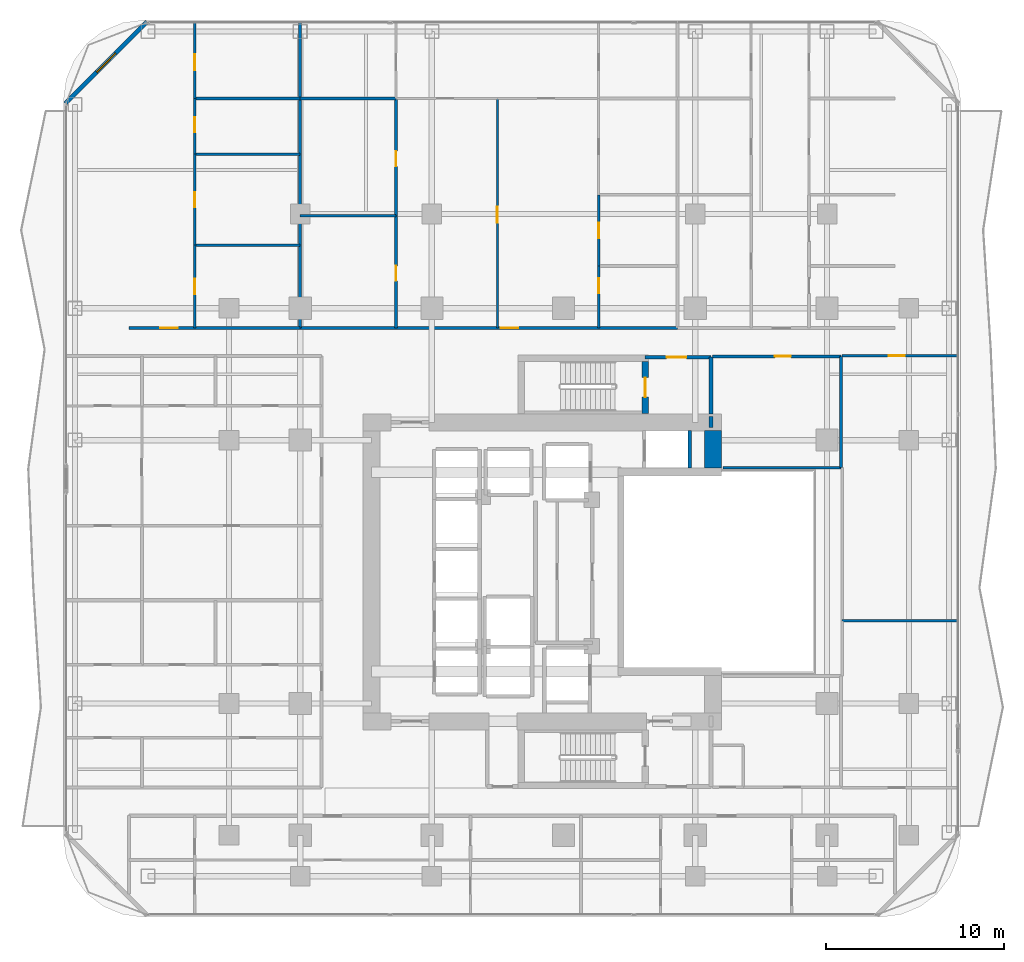
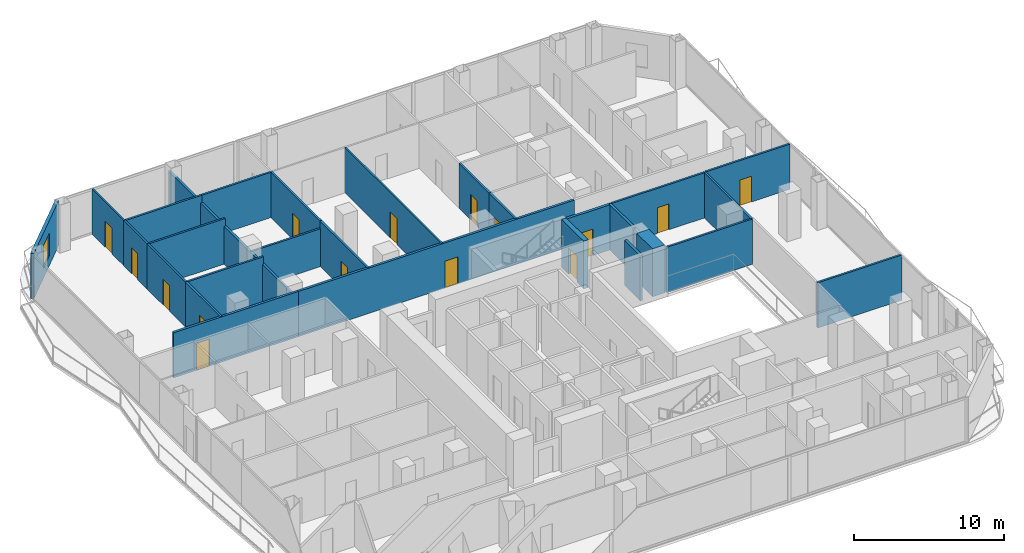
# One storey, part 22 of 27: 29 walls, 15 doors, 1 window, 16 openings.
"""IFC4 building model written with IfcOpenShell, lengths in metres."""

from ifc_helpers import new_model, si_unit, direction, frame, frame_2d, origin, place, context, subcontext, project, spatial, rectangle, extrude, material, layer, layer_set, type_object, element, fill, save


model = new_model("IFC4")

# Units and contexts
model_context = context("Model", 3, precision=1e-05, world=origin(), true_north=direction((0.0, 1.0)))
body_context = subcontext(model_context, "Body", "Model", "MODEL_VIEW")
ifc_project = project(units=[si_unit("LENGTHUNIT", "METRE"), si_unit("AREAUNIT", "SQUARE_METRE"), si_unit("VOLUMEUNIT", "CUBIC_METRE"), si_unit("PLANEANGLEUNIT", "RADIAN"), si_unit("MASSUNIT", "GRAM", prefix="KILO")], contexts=[model_context])

# Site, building, storey
site_placement = place(None, origin())
site = spatial("IfcSite", under=ifc_project, at=site_placement, CompositionType="ELEMENT")
building_placement = place(site_placement, origin())
building = spatial("IfcBuilding", under=site, at=building_placement, Name="Khorvyn Point Tower", CompositionType="ELEMENT")
storey_placement = place(building_placement, frame((0.0, 0.0, 96.89990234375)))
storey = spatial("IfcBuildingStorey", under=building, at=storey_placement, Name="L24", CompositionType="ELEMENT", Elevation=96.89990234375)

# Wall, opening, door
ifc_material_1 = material(Name="Double acoustic gypsum on twin steel stud", Category="steel")
ifc_layer_1 = layer(ifc_material_1, 0.179931640625)
ifc_layer_set_1 = layer_set([ifc_layer_1], Name="Acoustic Double-Stud Apartment Demising Wall 180")
wall_type_1 = type_object("IfcWallType", Name="Acoustic Double-Stud Apartment Demising Wall 180", PredefinedType="PARTITIONING", material=ifc_layer_set_1)
wall_1_placement = place(storey_placement, frame((-24.419921875, 13.699951171875, 0.0), z_axis=(0.0, 0.0, 1.0), x_axis=(1.0, 0.0, 0.0)))
wall_1 = element("IfcWall", 1, at=wall_1_placement, inside=storey, type_object=wall_type_1, Name="Wall", PredefinedType="PARTITIONING", context=body_context, shape_type="SweptSolid", body=[
    extrude(rectangle(XDim=9.61181640625, YDim=0.179931640625, at=frame_2d((4.805908203125, 0.0))), origin(), (0.0, 0.0, 1.0), 3.68017578125),
])
opening_1_placement = place(wall_1_placement, frame((1.747802734375, 0.0, 0.0)))
opening_1 = element("IfcOpeningElement", 2, at=opening_1_placement, cuts=wall_1, Name="Opening ID-AP60", PredefinedType="OPENING", context=body_context, shape_type="SweptSolid", body=[
    extrude(rectangle(XDim=1.0, YDim=2.199951171875, at=frame_2d((0.5, 1.10009765625))), frame((0.0, 0.099853515625, 0.0), z_axis=(0.0, -1.0, 0.0), x_axis=(1.0, 0.0, 0.0)), (0.0, 0.0, 1.0), 0.199951171875),
])
ifc_material_2 = material(Name="Engineered hardwood fire-rated leaf", Category="wood")
door_type_1 = type_object("IfcDoorType", Name="Acoustic Solid-Core Timber Apartment Entrance Door 1000x2200", OperationType="NOTDEFINED", PredefinedType="DOOR", material=ifc_material_2)
door_1_placement = place(opening_1_placement, origin())
door_1 = element("IfcDoor", 3, at=door_1_placement, inside=storey, type_object=door_type_1, Name="Door", OperationType="SINGLE_SWING_LEFT", OverallHeight=2.199951171875, OverallWidth=1.0, PredefinedType="DOOR", context=body_context, shape_type="SweptSolid", body=[
    extrude(rectangle(XDim=1.0, YDim=2.199951171875, at=frame_2d((0.5, 1.10009765625))), frame((0.0, 0.02490234375, 0.0), z_axis=(0.0, -1.0, 0.0), x_axis=(1.0, 0.0, 0.0)), (0.0, 0.0, 1.0), 0.050048828125),
])
fill(opening_1, door_1)

wall_2_placement = place(storey_placement, frame((-14.80810546875, 13.699951171875, 0.0), z_axis=(0.0, 0.0, 1.0), x_axis=(1.0, 0.0, 0.0)))
wall_2 = element("IfcWall", 4, at=wall_2_placement, inside=storey, type_object=wall_type_1, Name="Wall", PredefinedType="PARTITIONING", context=body_context, shape_type="SweptSolid", body=[
    extrude(rectangle(XDim=21.212158203125, YDim=0.179931640625, at=frame_2d((10.60595703125, 0.0))), origin(), (0.0, 0.0, 1.0), 3.68017578125),
])
opening_2_placement = place(wall_2_placement, frame((11.270751953125, 0.0, 0.0)))
opening_2 = element("IfcOpeningElement", 5, at=opening_2_placement, cuts=wall_2, Name="Opening ID-AP60", PredefinedType="OPENING", context=body_context, shape_type="SweptSolid", body=[
    extrude(rectangle(XDim=1.0, YDim=2.199951171875, at=frame_2d((0.5, 1.10009765625))), frame((0.0, 0.099853515625, 0.0), z_axis=(0.0, -1.0, 0.0), x_axis=(1.0, 0.0, 0.0)), (0.0, 0.0, 1.0), 0.199951171875),
])
door_2_placement = place(opening_2_placement, origin())
door_2 = element("IfcDoor", 6, at=door_2_placement, inside=storey, type_object=door_type_1, Name="Door", OperationType="SINGLE_SWING_RIGHT", OverallHeight=2.199951171875, OverallWidth=1.0, PredefinedType="DOOR", context=body_context, shape_type="SweptSolid", body=[
    extrude(rectangle(XDim=1.0, YDim=2.199951171875, at=frame_2d((0.5, 1.10009765625))), frame((0.0, 0.02490234375, 0.0), z_axis=(0.0, -1.0, 0.0), x_axis=(1.0, 0.0, 0.0)), (0.0, 0.0, 1.0), 0.050048828125),
])
fill(opening_2, door_2)

# Wall
wall_3_placement = place(storey_placement, frame((-14.80810546875, 13.699951171875, 0.0), z_axis=(0.0, 0.0, 1.0), x_axis=(0.0, 1.0, 0.0)))
element("IfcWall", 7, at=wall_3_placement, inside=storey, type_object=wall_type_1, Name="Wall", PredefinedType="PARTITIONING", context=body_context, shape_type="SweptSolid", body=[
    extrude(rectangle(XDim=17.130126953125, YDim=0.179931640625, at=frame_2d((8.56494140625, 0.0))), origin(), (0.0, 0.0, 1.0), 3.08203125),
])

# Wall, opening, window
ifc_material_3 = material(Name="Pale anodised aluminium rainscreen on steel stud", Category="steel")
ifc_layer_2 = layer(ifc_material_3, 0.239990234375)
ifc_layer_set_2 = layer_set([ifc_layer_2], Name="Anodised Aluminium Insulated Corner Spandrel Wall 240")
wall_type_2 = type_object("IfcWallType", Name="Anodised Aluminium Insulated Corner Spandrel Wall 240", PredefinedType="SOLIDWALL", material=ifc_layer_set_2)
wall_4_placement = place(storey_placement, frame((-27.992431640625, 26.3076171875, 0.0), z_axis=(0.0, 0.0, 1.0), x_axis=(0.707106781187, 0.707106781187, 0.0)))
wall_4 = element("IfcWall", 8, at=wall_4_placement, inside=storey, type_object=wall_type_2, Name="L24 Rounded Corner Wall NW", PredefinedType="SOLIDWALL", context=body_context, shape_type="SweptSolid", body=[
    extrude(rectangle(XDim=6.48388671875, YDim=0.239990234375, at=frame_2d((3.241943359375, 0.0))), origin(), (0.0, 0.0, 1.0), 3.68017578125),
])
opening_3_placement = place(wall_4_placement, frame((2.491943359375, 0.0, 0.800048828125)))
opening_3 = element("IfcOpeningElement", 9, at=opening_3_placement, cuts=wall_4, Name="Opening WN-1518", PredefinedType="OPENING", context=body_context, shape_type="SweptSolid", body=[
    extrude(rectangle(XDim=1.5, YDim=1.85009765625, at=frame_2d((0.75, 0.925048828125))), frame((0.0, 0.1298828125, 0.0), z_axis=(0.0, -1.0, 0.0), x_axis=(1.0, 0.0, 0.0)), (0.0, 0.0, 1.0), 0.260009765625),
])
ifc_material_4 = material(Name="Anodised aluminium 6063-T6 and laminated Low-E glass", Category="aluminium")
window_type = type_object("IfcWindowType", Name="Anodised Aluminium Rounded-Corner Panoramic Window 1500x1850", PartitioningType="SINGLE_PANEL", PredefinedType="WINDOW", material=ifc_material_4)
window_placement = place(opening_3_placement, origin())
window = element("IfcWindow", 10, at=window_placement, inside=storey, type_object=window_type, Name="L24 Corner Panoramic Window NW", OverallHeight=1.85009765625, OverallWidth=1.5, PartitioningType="SINGLE_PANEL", PredefinedType="WINDOW", context=body_context, shape_type="SweptSolid", body=[
    extrude(rectangle(XDim=1.5, YDim=1.85009765625, at=frame_2d((0.75, 0.925048828125))), frame((0.0, 0.030029296875, 0.0), z_axis=(0.0, -1.0, 0.0), x_axis=(1.0, 0.0, 0.0)), (0.0, 0.0, 1.0), 0.06005859375),
])
fill(opening_3, window)

# Wall, opening, door
ifc_material_5 = material(Name="Concrete C40/50", Category="concrete")
ifc_layer_3 = layer(ifc_material_5, 0.199951171875)
ifc_layer_set_3 = layer_set([ifc_layer_3], Name="Concrete C40/50 Fire-Lobby Compartment Wall 200")
wall_type_3 = type_object("IfcWallType", Name="Concrete C40/50 Fire-Lobby Compartment Wall 200", PredefinedType="SOLIDWALL", material=ifc_layer_set_3)
wall_5_placement = place(storey_placement, frame((4.580078125, 12.06005859375, 0.0), z_axis=(0.0, 0.0, 1.0), x_axis=(1.0, 0.0, 0.0)))
wall_5 = element("IfcWall", 11, at=wall_5_placement, inside=storey, type_object=wall_type_3, Name="Wall", PredefinedType="SOLIDWALL", context=body_context, shape_type="SweptSolid", body=[
    extrude(rectangle(XDim=3.699951171875, YDim=0.199951171875, at=frame_2d((1.85009765625, 0.0))), origin(), (0.0, 0.0, 1.0), 3.68017578125),
])
opening_4_placement = place(wall_5_placement, frame((1.21240234375, 0.0, 0.0)))
opening_4 = element("IfcOpeningElement", 12, at=opening_4_placement, cuts=wall_5, Name="Opening ID-FL90", PredefinedType="OPENING", context=body_context, shape_type="SweptSolid", body=[
    extrude(rectangle(XDim=1.10009765625, YDim=2.14990234375, at=frame_2d((0.550048828125, 1.074951171875))), frame((0.0, 0.10986328125, 0.0), z_axis=(0.0, -1.0, 0.0), x_axis=(1.0, 0.0, 0.0)), (0.0, 0.0, 1.0), 0.219970703125),
])
ifc_material_6 = material(Name="Galvanised powder-coated steel", Category="steel")
door_type_2 = type_object("IfcDoorType", Name="Fire-Rated Steel Lobby and Stair Door 1100x2150", OperationType="NOTDEFINED", PredefinedType="DOOR", material=ifc_material_6)
door_3_placement = place(opening_4_placement, origin())
door_3 = element("IfcDoor", 13, at=door_3_placement, inside=storey, type_object=door_type_2, Name="Door", OperationType="SINGLE_SWING_RIGHT", OverallHeight=2.14990234375, OverallWidth=1.10009765625, PredefinedType="DOOR", context=body_context, shape_type="SweptSolid", body=[
    extrude(rectangle(XDim=1.10009765625, YDim=2.14990234375, at=frame_2d((0.550048828125, 1.074951171875))), frame((0.0, 0.02490234375, 0.0), z_axis=(0.0, -1.0, 0.0), x_axis=(1.0, 0.0, 0.0)), (0.0, 0.0, 1.0), 0.050048828125),
])
fill(opening_4, door_3)

# Walls
wall_6_placement = place(storey_placement, frame((8.280029296875, 8.875, 0.0), z_axis=(0.0, 0.0, 1.0), x_axis=(0.0, 1.0, 0.0)))
element("IfcWall", 14, at=wall_6_placement, inside=storey, type_object=wall_type_3, Name="Wall", PredefinedType="SOLIDWALL", context=body_context, shape_type="SweptSolid", body=[
    extrude(rectangle(XDim=3.18505859375, YDim=0.199951171875, at=frame_2d((1.592529296875, 0.0))), origin(), (0.0, 0.0, 1.0), 3.68017578125),
])
wall_7_placement = place(storey_placement, frame((8.280029296875, 8.10009765625, 0.0), z_axis=(0.0, 0.0, 1.0), x_axis=(0.0, 1.0, 0.0)))
element("IfcWall", 15, at=wall_7_placement, inside=storey, type_object=wall_type_3, Name="Wall", PredefinedType="SOLIDWALL", context=body_context, shape_type="SweptSolid", body=[
    extrude(rectangle(XDim=0.625, YDim=0.199951171875, at=frame_2d((0.3125, 0.0))), origin(), (0.0, 0.0, 1.0), 3.68017578125),
])

# Wall, opening, door
ifc_layer_4 = layer(ifc_material_5, 0.35009765625)
ifc_layer_set_4 = layer_set([ifc_layer_4], Name="Concrete C40/50 Stair Shaft Structural Wall 350")
wall_type_4 = type_object("IfcWallType", Name="Concrete C40/50 Stair Shaft Structural Wall 350", PredefinedType="SHEAR", material=ifc_layer_set_4)
wall_8_placement = place(storey_placement, frame((4.580078125, 11.824951171875, 0.0), z_axis=(0.0, 0.0, 1.0), x_axis=(0.0, -1.0, 0.0)))
wall_8 = element("IfcWall", 16, at=wall_8_placement, inside=storey, type_object=wall_type_4, Name="L24 ST-02 East Landing Door Wall", PredefinedType="SHEAR", context=body_context, shape_type="SweptSolid", body=[
    extrude(rectangle(XDim=2.925048828125, YDim=0.35009765625, at=frame_2d((1.46240234375, 0.0))), origin(), (0.0, 0.0, 1.0), 3.900146484375),
])
opening_5_placement = place(wall_8_placement, frame((0.91259765625, 0.0, 0.0)))
opening_5 = element("IfcOpeningElement", 17, at=opening_5_placement, cuts=wall_8, Name="Opening ID-FL90", PredefinedType="OPENING", context=body_context, shape_type="SweptSolid", body=[
    extrude(rectangle(XDim=1.10009765625, YDim=2.14990234375, at=frame_2d((0.550048828125, 1.074951171875))), frame((0.0, 0.18505859375, 0.0), z_axis=(0.0, -1.0, 0.0), x_axis=(1.0, 0.0, 0.0)), (0.0, 0.0, 1.0), 0.3701171875),
])
door_4_placement = place(opening_5_placement, origin())
door_4 = element("IfcDoor", 18, at=door_4_placement, inside=storey, type_object=door_type_2, Name="L24 ST-02 Smokeproof Landing Door", OperationType="SINGLE_SWING_LEFT", OverallHeight=2.14990234375, OverallWidth=1.10009765625, PredefinedType="DOOR", context=body_context, shape_type="SweptSolid", body=[
    extrude(rectangle(XDim=1.10009765625, YDim=2.14990234375, at=frame_2d((0.550048828125, 1.074951171875))), frame((0.0, 0.02490234375, 0.0), z_axis=(0.0, -1.0, 0.0), x_axis=(1.0, 0.0, 0.0)), (0.0, 0.0, 1.0), 0.050048828125),
])
fill(opening_5, door_4)

# Walls
ifc_layer_5 = layer(ifc_material_5, 0.199951171875)
ifc_layer_set_5 = layer_set([ifc_layer_5], Name="Concrete C40/50 Structural Hoistway and Stair Shaft Wall 200")
wall_type_5 = type_object("IfcWallType", Name="Concrete C40/50 Structural Hoistway and Stair Shaft Wall 200", PredefinedType="SHEAR", material=ifc_layer_set_5)
wall_9_placement = place(storey_placement, frame((7.074951171875, 5.824951171875, 0.0), z_axis=(0.0, 0.0, 1.0), x_axis=(0.0, 1.0, 0.0)))
element("IfcWall", 19, at=wall_9_placement, inside=storey, type_object=wall_type_5, Name="Wall", PredefinedType="SHEAR", context=body_context, shape_type="SweptSolid", body=[
    extrude(rectangle(XDim=2.10009765625, YDim=0.199951171875, at=frame_2d((1.050048828125, 0.0))), origin(), (0.0, 0.0, 1.0), 3.68017578125),
])
ifc_material_7 = material(Name="Concrete C50/60", Category="concrete")
ifc_layer_6 = layer(ifc_material_7, 0.949951171875)
ifc_layer_set_6 = layer_set([ifc_layer_6], Name="Concrete C50/60 Core Shear Wall 950")
wall_type_6 = type_object("IfcWallType", Name="Concrete C50/60 Core Shear Wall 950", PredefinedType="SHEAR", material=ifc_layer_set_6)
wall_10_placement = place(storey_placement, frame((8.39990234375, 5.824951171875, 0.0), z_axis=(0.0, 0.0, 1.0), x_axis=(0.0, 1.0, 0.0)))
element("IfcWall", 20, at=wall_10_placement, inside=storey, type_object=wall_type_6, Name="Wall", PredefinedType="SHEAR", context=body_context, shape_type="SweptSolid", body=[
    extrude(rectangle(XDim=2.10009765625, YDim=0.949951171875, at=frame_2d((1.050048828125, 0.0))), origin(), (0.0, 0.0, 1.0), 3.900146484375),
])

# Wall, opening, door
ifc_material_8 = material(Name="Gypsum plasterboard on steel stud", Category="steel")
ifc_layer_7 = layer(ifc_material_8, 0.1201171875)
ifc_layer_set_7 = layer_set([ifc_layer_7], Name="Gypsum Acoustic Stud Room Partition Wall 120")
wall_type_7 = type_object("IfcWallType", Name="Gypsum Acoustic Stud Room Partition Wall 120", PredefinedType="PARTITIONING", material=ifc_layer_set_7)
wall_11_placement = place(storey_placement, frame((-20.720947265625, 26.590087890625, 0.0), z_axis=(0.0, 0.0, 1.0), x_axis=(0.0, 1.0, 0.0)))
wall_11 = element("IfcWall", 21, at=wall_11_placement, inside=storey, type_object=wall_type_7, Name="Wall", PredefinedType="PARTITIONING", context=body_context, shape_type="SweptSolid", body=[
    extrude(rectangle(XDim=4.239990234375, YDim=0.1201171875, at=frame_2d((2.1201171875, 0.0))), origin(), (0.0, 0.0, 1.0), 3.68017578125),
])
opening_6_placement = place(wall_11_placement, frame((1.581298828125, 0.0, 0.0)))
opening_6 = element("IfcOpeningElement", 22, at=opening_6_placement, cuts=wall_11, Name="Opening ID-RM90", PredefinedType="OPENING", context=body_context, shape_type="SweptSolid", body=[
    extrude(rectangle(XDim=0.89990234375, YDim=2.10009765625, at=frame_2d((0.449951171875, 1.050048828125))), frame((0.0, 0.070068359375, 0.0), z_axis=(0.0, -1.0, 0.0), x_axis=(1.0, 0.0, 0.0)), (0.0, 0.0, 1.0), 0.14013671875),
])
ifc_material_9 = material(Name="Engineered oak veneer timber", Category="wood")
door_type_3 = type_object("IfcDoorType", Name="Flush Engineered Timber Room Door 900x2100", OperationType="NOTDEFINED", PredefinedType="DOOR", material=ifc_material_9)
door_5_placement = place(opening_6_placement, origin())
door_5 = element("IfcDoor", 23, at=door_5_placement, inside=storey, type_object=door_type_3, Name="Door", OperationType="SINGLE_SWING_LEFT", OverallHeight=2.10009765625, OverallWidth=0.89990234375, PredefinedType="DOOR", context=body_context, shape_type="SweptSolid", body=[
    extrude(rectangle(XDim=0.89990234375, YDim=2.10009765625, at=frame_2d((0.449951171875, 1.050048828125))), frame((0.0, 0.02490234375, 0.0), z_axis=(0.0, -1.0, 0.0), x_axis=(1.0, 0.0, 0.0)), (0.0, 0.0, 1.0), 0.050048828125),
])
fill(opening_6, door_5)

wall_12_placement = place(storey_placement, frame((-3.722900390625, 13.699951171875, 0.0), z_axis=(0.0, 0.0, 1.0), x_axis=(0.0, 1.0, 0.0)))
wall_12 = element("IfcWall", 24, at=wall_12_placement, inside=storey, type_object=wall_type_7, Name="Wall", PredefinedType="PARTITIONING", context=body_context, shape_type="SweptSolid", body=[
    extrude(rectangle(XDim=12.89013671875, YDim=0.1201171875, at=frame_2d((6.445068359375, 0.0))), origin(), (0.0, 0.0, 1.0), 3.68017578125),
])
opening_7_placement = place(wall_12_placement, frame((5.9052734375, 0.0, 0.0)))
opening_7 = element("IfcOpeningElement", 25, at=opening_7_placement, cuts=wall_12, Name="Opening ID-RM90", PredefinedType="OPENING", context=body_context, shape_type="SweptSolid", body=[
    extrude(rectangle(XDim=0.89990234375, YDim=2.10009765625, at=frame_2d((0.449951171875, 1.050048828125))), frame((0.0, 0.070068359375, 0.0), z_axis=(0.0, -1.0, 0.0), x_axis=(1.0, 0.0, 0.0)), (0.0, 0.0, 1.0), 0.14013671875),
])
door_6_placement = place(opening_7_placement, origin())
door_6 = element("IfcDoor", 26, at=door_6_placement, inside=storey, type_object=door_type_3, Name="Door", OperationType="SINGLE_SWING_LEFT", OverallHeight=2.10009765625, OverallWidth=0.89990234375, PredefinedType="DOOR", context=body_context, shape_type="SweptSolid", body=[
    extrude(rectangle(XDim=0.89990234375, YDim=2.10009765625, at=frame_2d((0.449951171875, 1.050048828125))), frame((0.0, 0.02490234375, 0.0), z_axis=(0.0, -1.0, 0.0), x_axis=(1.0, 0.0, 0.0)), (0.0, 0.0, 1.0), 0.050048828125),
])
fill(opening_7, door_6)

ifc_material_10 = material(Name="Moisture-resistant gypsum and cement board", Category="gypsum")
ifc_layer_8 = layer(ifc_material_10, 0.14990234375)
ifc_layer_set_8 = layer_set([ifc_layer_8], Name="Moisture-Resistant Wet-Room Partition Wall 150")
wall_type_8 = type_object("IfcWallType", Name="Moisture-Resistant Wet-Room Partition Wall 150", PredefinedType="PARTITIONING", material=ifc_layer_set_8)
wall_13_placement = place(storey_placement, frame((8.360107421875, 12.10009765625, 0.0), z_axis=(0.0, 0.0, 1.0), x_axis=(1.0, 0.0, 0.0)))
wall_13 = element("IfcWall", 27, at=wall_13_placement, inside=storey, type_object=wall_type_8, Name="Wall", PredefinedType="PARTITIONING", context=body_context, shape_type="SweptSolid", body=[
    extrude(rectangle(XDim=7.219970703125, YDim=0.14990234375, at=frame_2d((3.60986328125, 0.0))), origin(), (0.0, 0.0, 1.0), 3.68017578125),
])
opening_8_placement = place(wall_13_placement, frame((3.512939453125, 0.0, 0.0)))
opening_8 = element("IfcOpeningElement", 28, at=opening_8_placement, cuts=wall_13, Name="Opening ID-RM90", PredefinedType="OPENING", context=body_context, shape_type="SweptSolid", body=[
    extrude(rectangle(XDim=0.89990234375, YDim=2.10009765625, at=frame_2d((0.449951171875, 1.050048828125))), frame((0.0, 0.0849609375, 0.0), z_axis=(0.0, -1.0, 0.0), x_axis=(1.0, 0.0, 0.0)), (0.0, 0.0, 1.0), 0.169921875),
])
door_7_placement = place(opening_8_placement, origin())
door_7 = element("IfcDoor", 29, at=door_7_placement, inside=storey, type_object=door_type_3, Name="Door", OperationType="SINGLE_SWING_RIGHT", OverallHeight=2.10009765625, OverallWidth=0.89990234375, PredefinedType="DOOR", context=body_context, shape_type="SweptSolid", body=[
    extrude(rectangle(XDim=0.89990234375, YDim=2.10009765625, at=frame_2d((0.449951171875, 1.050048828125))), frame((0.0, 0.02490234375, 0.0), z_axis=(0.0, -1.0, 0.0), x_axis=(1.0, 0.0, 0.0)), (0.0, 0.0, 1.0), 0.050048828125),
])
fill(opening_8, door_7)

wall_14_placement = place(storey_placement, frame((-20.720947265625, 18.35107421875, 0.0), z_axis=(0.0, 0.0, 1.0), x_axis=(0.0, 1.0, 0.0)))
wall_14 = element("IfcWall", 30, at=wall_14_placement, inside=storey, type_object=wall_type_8, Name="Wall", PredefinedType="PARTITIONING", context=body_context, shape_type="SweptSolid", body=[
    extrude(rectangle(XDim=5.10986328125, YDim=0.14990234375, at=frame_2d((2.554931640625, 0.0))), origin(), (0.0, 0.0, 1.0), 3.68017578125),
])
opening_9_placement = place(wall_14_placement, frame((2.1298828125, 0.0, 0.0)))
opening_9 = element("IfcOpeningElement", 31, at=opening_9_placement, cuts=wall_14, Name="Opening ID-WC85", PredefinedType="OPENING", context=body_context, shape_type="SweptSolid", body=[
    extrude(rectangle(XDim=0.85009765625, YDim=2.10009765625, at=frame_2d((0.425048828125, 1.050048828125))), frame((0.0, 0.0849609375, 0.0), z_axis=(0.0, -1.0, 0.0), x_axis=(1.0, 0.0, 0.0)), (0.0, 0.0, 1.0), 0.169921875),
])
ifc_material_11 = material(Name="High-pressure laminate on moisture-resistant core", Category="wood")
door_type_4 = type_object("IfcDoorType", Name="Moisture-Resistant Accessible Washroom Door 850x2100", OperationType="NOTDEFINED", PredefinedType="DOOR", material=ifc_material_11)
door_8_placement = place(opening_9_placement, origin())
door_8 = element("IfcDoor", 32, at=door_8_placement, inside=storey, type_object=door_type_4, Name="Door", OperationType="SINGLE_SWING_RIGHT", OverallHeight=2.10009765625, OverallWidth=0.85009765625, PredefinedType="DOOR", context=body_context, shape_type="SweptSolid", body=[
    extrude(rectangle(XDim=0.85009765625, YDim=2.10009765625, at=frame_2d((0.425048828125, 1.050048828125))), frame((0.0, 0.02490234375, 0.0), z_axis=(0.0, -1.0, 0.0), x_axis=(1.0, 0.0, 0.0)), (0.0, 0.0, 1.0), 0.050048828125),
])
fill(opening_9, door_8)

wall_15_placement = place(storey_placement, frame((-20.720947265625, 13.699951171875, 0.0), z_axis=(0.0, 0.0, 1.0), x_axis=(0.0, 1.0, 0.0)))
wall_15 = element("IfcWall", 33, at=wall_15_placement, inside=storey, type_object=wall_type_8, Name="Wall", PredefinedType="PARTITIONING", context=body_context, shape_type="SweptSolid", body=[
    extrude(rectangle(XDim=4.651123046875, YDim=0.14990234375, at=frame_2d((2.32568359375, 0.0))), origin(), (0.0, 0.0, 1.0), 3.68017578125),
])
opening_10_placement = place(wall_15_placement, frame((1.900390625, 0.0, 0.0)))
opening_10 = element("IfcOpeningElement", 34, at=opening_10_placement, cuts=wall_15, Name="Opening ID-WC85", PredefinedType="OPENING", context=body_context, shape_type="SweptSolid", body=[
    extrude(rectangle(XDim=0.85009765625, YDim=2.10009765625, at=frame_2d((0.425048828125, 1.050048828125))), frame((0.0, 0.0849609375, 0.0), z_axis=(0.0, -1.0, 0.0), x_axis=(1.0, 0.0, 0.0)), (0.0, 0.0, 1.0), 0.169921875),
])
door_9_placement = place(opening_10_placement, origin())
door_9 = element("IfcDoor", 35, at=door_9_placement, inside=storey, type_object=door_type_4, Name="Door", OperationType="SINGLE_SWING_LEFT", OverallHeight=2.10009765625, OverallWidth=0.85009765625, PredefinedType="DOOR", context=body_context, shape_type="SweptSolid", body=[
    extrude(rectangle(XDim=0.85009765625, YDim=2.10009765625, at=frame_2d((0.425048828125, 1.050048828125))), frame((0.0, 0.02490234375, 0.0), z_axis=(0.0, -1.0, 0.0), x_axis=(1.0, 0.0, 0.0)), (0.0, 0.0, 1.0), 0.050048828125),
])
fill(opening_10, door_9)

wall_16_placement = place(storey_placement, frame((-20.720947265625, 23.4609375, 0.0), z_axis=(0.0, 0.0, 1.0), x_axis=(0.0, 1.0, 0.0)))
wall_16 = element("IfcWall", 36, at=wall_16_placement, inside=storey, type_object=wall_type_8, Name="Wall", PredefinedType="PARTITIONING", context=body_context, shape_type="SweptSolid", body=[
    extrude(rectangle(XDim=3.129150390625, YDim=0.14990234375, at=frame_2d((1.564453125, 0.0))), origin(), (0.0, 0.0, 1.0), 3.68017578125),
])
opening_11_placement = place(wall_16_placement, frame((1.228515625, 0.0, 0.0)))
opening_11 = element("IfcOpeningElement", 37, at=opening_11_placement, cuts=wall_16, Name="Opening ID-WC85", PredefinedType="OPENING", context=body_context, shape_type="SweptSolid", body=[
    extrude(rectangle(XDim=0.85009765625, YDim=2.10009765625, at=frame_2d((0.425048828125, 1.050048828125))), frame((0.0, 0.0849609375, 0.0), z_axis=(0.0, -1.0, 0.0), x_axis=(1.0, 0.0, 0.0)), (0.0, 0.0, 1.0), 0.169921875),
])
door_10_placement = place(opening_11_placement, origin())
door_10 = element("IfcDoor", 38, at=door_10_placement, inside=storey, type_object=door_type_4, Name="Door", OperationType="SINGLE_SWING_RIGHT", OverallHeight=2.10009765625, OverallWidth=0.85009765625, PredefinedType="DOOR", context=body_context, shape_type="SweptSolid", body=[
    extrude(rectangle(XDim=0.85009765625, YDim=2.10009765625, at=frame_2d((0.425048828125, 1.050048828125))), frame((0.0, 0.02490234375, 0.0), z_axis=(0.0, -1.0, 0.0), x_axis=(1.0, 0.0, 0.0)), (0.0, 0.0, 1.0), 0.050048828125),
])
fill(opening_11, door_10)

wall_17_placement = place(storey_placement, frame((-9.4140625, 13.699951171875, 0.0), z_axis=(0.0, 0.0, 1.0), x_axis=(0.0, 1.0, 0.0)))
wall_17 = element("IfcWall", 39, at=wall_17_placement, inside=storey, type_object=wall_type_8, Name="Wall", PredefinedType="PARTITIONING", context=body_context, shape_type="SweptSolid", body=[
    extrude(rectangle(XDim=6.302978515625, YDim=0.14990234375, at=frame_2d((3.1513671875, 0.0))), origin(), (0.0, 0.0, 1.0), 3.68017578125),
])
opening_12_placement = place(wall_17_placement, frame((2.637939453125, 0.0, 0.0)))
opening_12 = element("IfcOpeningElement", 40, at=opening_12_placement, cuts=wall_17, Name="Opening ID-WC85", PredefinedType="OPENING", context=body_context, shape_type="SweptSolid", body=[
    extrude(rectangle(XDim=0.85009765625, YDim=2.10009765625, at=frame_2d((0.425048828125, 1.050048828125))), frame((0.0, 0.0849609375, 0.0), z_axis=(0.0, -1.0, 0.0), x_axis=(1.0, 0.0, 0.0)), (0.0, 0.0, 1.0), 0.169921875),
])
door_11_placement = place(opening_12_placement, origin())
door_11 = element("IfcDoor", 41, at=door_11_placement, inside=storey, type_object=door_type_4, Name="Door", OperationType="SINGLE_SWING_RIGHT", OverallHeight=2.10009765625, OverallWidth=0.85009765625, PredefinedType="DOOR", context=body_context, shape_type="SweptSolid", body=[
    extrude(rectangle(XDim=0.85009765625, YDim=2.10009765625, at=frame_2d((0.425048828125, 1.050048828125))), frame((0.0, 0.02490234375, 0.0), z_axis=(0.0, -1.0, 0.0), x_axis=(1.0, 0.0, 0.0)), (0.0, 0.0, 1.0), 0.050048828125),
])
fill(opening_12, door_11)

wall_18_placement = place(storey_placement, frame((-9.4140625, 20.0029296875, 0.0), z_axis=(0.0, 0.0, 1.0), x_axis=(0.0, 1.0, 0.0)))
wall_18 = element("IfcWall", 42, at=wall_18_placement, inside=storey, type_object=wall_type_8, Name="Wall", PredefinedType="PARTITIONING", context=body_context, shape_type="SweptSolid", body=[
    extrude(rectangle(XDim=6.587158203125, YDim=0.14990234375, at=frame_2d((3.29345703125, 0.0))), origin(), (0.0, 0.0, 1.0), 3.68017578125),
])
opening_13_placement = place(wall_18_placement, frame((2.781005859375, 0.0, 0.0)))
opening_13 = element("IfcOpeningElement", 43, at=opening_13_placement, cuts=wall_18, Name="Opening ID-WC85", PredefinedType="OPENING", context=body_context, shape_type="SweptSolid", body=[
    extrude(rectangle(XDim=0.85009765625, YDim=2.10009765625, at=frame_2d((0.425048828125, 1.050048828125))), frame((0.0, 0.0849609375, 0.0), z_axis=(0.0, -1.0, 0.0), x_axis=(1.0, 0.0, 0.0)), (0.0, 0.0, 1.0), 0.169921875),
])
door_12_placement = place(opening_13_placement, origin())
door_12 = element("IfcDoor", 44, at=door_12_placement, inside=storey, type_object=door_type_4, Name="Door", OperationType="SINGLE_SWING_LEFT", OverallHeight=2.10009765625, OverallWidth=0.85009765625, PredefinedType="DOOR", context=body_context, shape_type="SweptSolid", body=[
    extrude(rectangle(XDim=0.85009765625, YDim=2.10009765625, at=frame_2d((0.425048828125, 1.050048828125))), frame((0.0, 0.02490234375, 0.0), z_axis=(0.0, -1.0, 0.0), x_axis=(1.0, 0.0, 0.0)), (0.0, 0.0, 1.0), 0.050048828125),
])
fill(opening_13, door_12)

wall_19_placement = place(storey_placement, frame((1.967041015625, 13.699951171875, 0.0), z_axis=(0.0, 0.0, 1.0), x_axis=(0.0, 1.0, 0.0)))
wall_19 = element("IfcWall", 45, at=wall_19_placement, inside=storey, type_object=wall_type_8, Name="Wall", PredefinedType="PARTITIONING", context=body_context, shape_type="SweptSolid", body=[
    extrude(rectangle(XDim=3.47998046875, YDim=0.14990234375, at=frame_2d((1.739990234375, 0.0))), origin(), (0.0, 0.0, 1.0), 3.68017578125),
])
opening_14_placement = place(wall_19_placement, frame((1.93701171875, 0.0, 0.0)))
opening_14 = element("IfcOpeningElement", 46, at=opening_14_placement, cuts=wall_19, Name="Opening ID-WC85", PredefinedType="OPENING", context=body_context, shape_type="SweptSolid", body=[
    extrude(rectangle(XDim=0.85009765625, YDim=2.10009765625, at=frame_2d((0.425048828125, 1.050048828125))), frame((0.0, 0.0849609375, 0.0), z_axis=(0.0, -1.0, 0.0), x_axis=(1.0, 0.0, 0.0)), (0.0, 0.0, 1.0), 0.169921875),
])
door_13_placement = place(opening_14_placement, origin())
door_13 = element("IfcDoor", 47, at=door_13_placement, inside=storey, type_object=door_type_4, Name="Door", OperationType="SINGLE_SWING_LEFT", OverallHeight=2.10009765625, OverallWidth=0.85009765625, PredefinedType="DOOR", context=body_context, shape_type="SweptSolid", body=[
    extrude(rectangle(XDim=0.85009765625, YDim=2.10009765625, at=frame_2d((0.425048828125, 1.050048828125))), frame((0.0, 0.02490234375, 0.0), z_axis=(0.0, -1.0, 0.0), x_axis=(1.0, 0.0, 0.0)), (0.0, 0.0, 1.0), 0.050048828125),
])
fill(opening_14, door_13)

wall_20_placement = place(storey_placement, frame((1.967041015625, 17.179931640625, 0.0), z_axis=(0.0, 0.0, 1.0), x_axis=(0.0, 1.0, 0.0)))
wall_20 = element("IfcWall", 48, at=wall_20_placement, inside=storey, type_object=wall_type_8, Name="Wall", PredefinedType="PARTITIONING", context=body_context, shape_type="SweptSolid", body=[
    extrude(rectangle(XDim=3.99609375, YDim=0.14990234375, at=frame_2d((1.998046875, 0.0))), origin(), (0.0, 0.0, 1.0), 3.68017578125),
])
opening_15_placement = place(wall_20_placement, frame((1.572998046875, 0.0, 0.0)))
opening_15 = element("IfcOpeningElement", 49, at=opening_15_placement, cuts=wall_20, Name="Opening ID-WC85", PredefinedType="OPENING", context=body_context, shape_type="SweptSolid", body=[
    extrude(rectangle(XDim=0.85009765625, YDim=2.10009765625, at=frame_2d((0.425048828125, 1.050048828125))), frame((0.0, 0.0849609375, 0.0), z_axis=(0.0, -1.0, 0.0), x_axis=(1.0, 0.0, 0.0)), (0.0, 0.0, 1.0), 0.169921875),
])
door_14_placement = place(opening_15_placement, origin())
door_14 = element("IfcDoor", 50, at=door_14_placement, inside=storey, type_object=door_type_4, Name="Door", OperationType="SINGLE_SWING_RIGHT", OverallHeight=2.10009765625, OverallWidth=0.85009765625, PredefinedType="DOOR", context=body_context, shape_type="SweptSolid", body=[
    extrude(rectangle(XDim=0.85009765625, YDim=2.10009765625, at=frame_2d((0.425048828125, 1.050048828125))), frame((0.0, 0.02490234375, 0.0), z_axis=(0.0, -1.0, 0.0), x_axis=(1.0, 0.0, 0.0)), (0.0, 0.0, 1.0), 0.050048828125),
])
fill(opening_15, door_14)

wall_21_placement = place(storey_placement, frame((15.64990234375, 12.139892578125, 0.0), z_axis=(0.0, 0.0, 1.0), x_axis=(1.0, 0.0, 0.0)))
wall_21 = element("IfcWall", 51, at=wall_21_placement, inside=storey, type_object=wall_type_8, Name="Wall", PredefinedType="PARTITIONING", context=body_context, shape_type="SweptSolid", body=[
    extrude(rectangle(XDim=6.47021484375, YDim=0.14990234375, at=frame_2d((3.235107421875, 0.0))), origin(), (0.0, 0.0, 1.0), 3.68017578125),
])
opening_16_placement = place(wall_21_placement, frame((2.610107421875, 0.0, 0.0)))
opening_16 = element("IfcOpeningElement", 52, at=opening_16_placement, cuts=wall_21, Name="Opening ID-RM90", PredefinedType="OPENING", context=body_context, shape_type="SweptSolid", body=[
    extrude(rectangle(XDim=0.89990234375, YDim=2.10009765625, at=frame_2d((0.449951171875, 1.050048828125))), frame((0.0, 0.0849609375, 0.0), z_axis=(0.0, -1.0, 0.0), x_axis=(1.0, 0.0, 0.0)), (0.0, 0.0, 1.0), 0.169921875),
])
door_15_placement = place(opening_16_placement, origin())
door_15 = element("IfcDoor", 53, at=door_15_placement, inside=storey, type_object=door_type_3, Name="Door", OperationType="SINGLE_SWING_RIGHT", OverallHeight=2.10009765625, OverallWidth=0.89990234375, PredefinedType="DOOR", context=body_context, shape_type="SweptSolid", body=[
    extrude(rectangle(XDim=0.89990234375, YDim=2.10009765625, at=frame_2d((0.449951171875, 1.050048828125))), frame((0.0, 0.02490234375, 0.0), z_axis=(0.0, -1.0, 0.0), x_axis=(1.0, 0.0, 0.0)), (0.0, 0.0, 1.0), 0.050048828125),
])
fill(opening_16, door_15)

# Walls
wall_22_placement = place(storey_placement, frame((15.580078125, 5.85009765625, 0.0), z_axis=(0.0, 0.0, 1.0), x_axis=(0.0, 1.0, 0.0)))
element("IfcWall", 54, at=wall_22_placement, inside=storey, type_object=wall_type_8, Name="Wall", PredefinedType="PARTITIONING", context=body_context, shape_type="SweptSolid", body=[
    extrude(rectangle(XDim=6.25, YDim=0.14990234375, at=frame_2d((3.125, 0.0))), origin(), (0.0, 0.0, 1.0), 3.68017578125),
])
wall_23_placement = place(storey_placement, frame((8.9599609375, 5.85009765625, 0.0), z_axis=(0.0, 0.0, 1.0), x_axis=(1.0, 0.0, 0.0)))
element("IfcWall", 55, at=wall_23_placement, inside=storey, type_object=wall_type_8, Name="Wall", PredefinedType="PARTITIONING", context=body_context, shape_type="SweptSolid", body=[
    extrude(rectangle(XDim=6.6201171875, YDim=0.14990234375, at=frame_2d((3.31005859375, 0.0))), origin(), (0.0, 0.0, 1.0), 3.68017578125),
])
for number, where, z_axis, x_axis, name in (
    (56, (-20.720947265625, 18.35107421875, 0.0), (0.0, 0.0, 1.0), (1.0, 0.0, 0.0), "Wall"),
    (57, (-20.720947265625, 23.4609375, 0.0), (0.0, 0.0, 1.0), (1.0, 0.0, 0.0), "Wall"),
    (58, (-20.720947265625, 26.590087890625, 0.0), (0.0, 0.0, 1.0), (1.0, 0.0, 0.0), "Wall"),
):
    element("IfcWall", number, at=place(storey_placement, frame(where, z_axis=z_axis, x_axis=x_axis)), inside=storey, type_object=wall_type_8, Name=name, PredefinedType="PARTITIONING", context=body_context, shape_type="SweptSolid", body=[
        extrude(rectangle(XDim=5.912841796875, YDim=0.14990234375, at=frame_2d((2.95654296875, 0.0))), origin(), (0.0, 0.0, 1.0), 3.68017578125),
    ])
wall_24_placement = place(storey_placement, frame((-14.80810546875, 20.0029296875, 0.0), z_axis=(0.0, 0.0, 1.0), x_axis=(1.0, 0.0, 0.0)))
element("IfcWall", 59, at=wall_24_placement, inside=storey, type_object=wall_type_8, Name="Wall", PredefinedType="PARTITIONING", context=body_context, shape_type="SweptSolid", body=[
    extrude(rectangle(XDim=5.39404296875, YDim=0.14990234375, at=frame_2d((2.697021484375, 0.0))), origin(), (0.0, 0.0, 1.0), 3.08203125),
])
wall_25_placement = place(storey_placement, frame((-14.80810546875, 26.590087890625, 0.0), z_axis=(0.0, 0.0, 1.0), x_axis=(1.0, 0.0, 0.0)))
element("IfcWall", 60, at=wall_25_placement, inside=storey, type_object=wall_type_8, Name="Wall", PredefinedType="PARTITIONING", context=body_context, shape_type="SweptSolid", body=[
    extrude(rectangle(XDim=5.39404296875, YDim=0.14990234375, at=frame_2d((2.697021484375, 0.0))), origin(), (0.0, 0.0, 1.0), 3.68017578125),
])
wall_26_placement = place(storey_placement, frame((15.64990234375, -2.75, 0.0), z_axis=(0.0, 0.0, 1.0), x_axis=(1.0, 0.0, 0.0)))
element("IfcWall", 61, at=wall_26_placement, inside=storey, type_object=wall_type_8, Name="Wall", PredefinedType="PARTITIONING", context=body_context, shape_type="SweptSolid", body=[
    extrude(rectangle(XDim=6.47998046875, YDim=0.14990234375, at=frame_2d((3.239990234375, 0.0))), origin(), (0.0, 0.0, 1.0), 3.68017578125),
])

save(model, "model.ifc")
